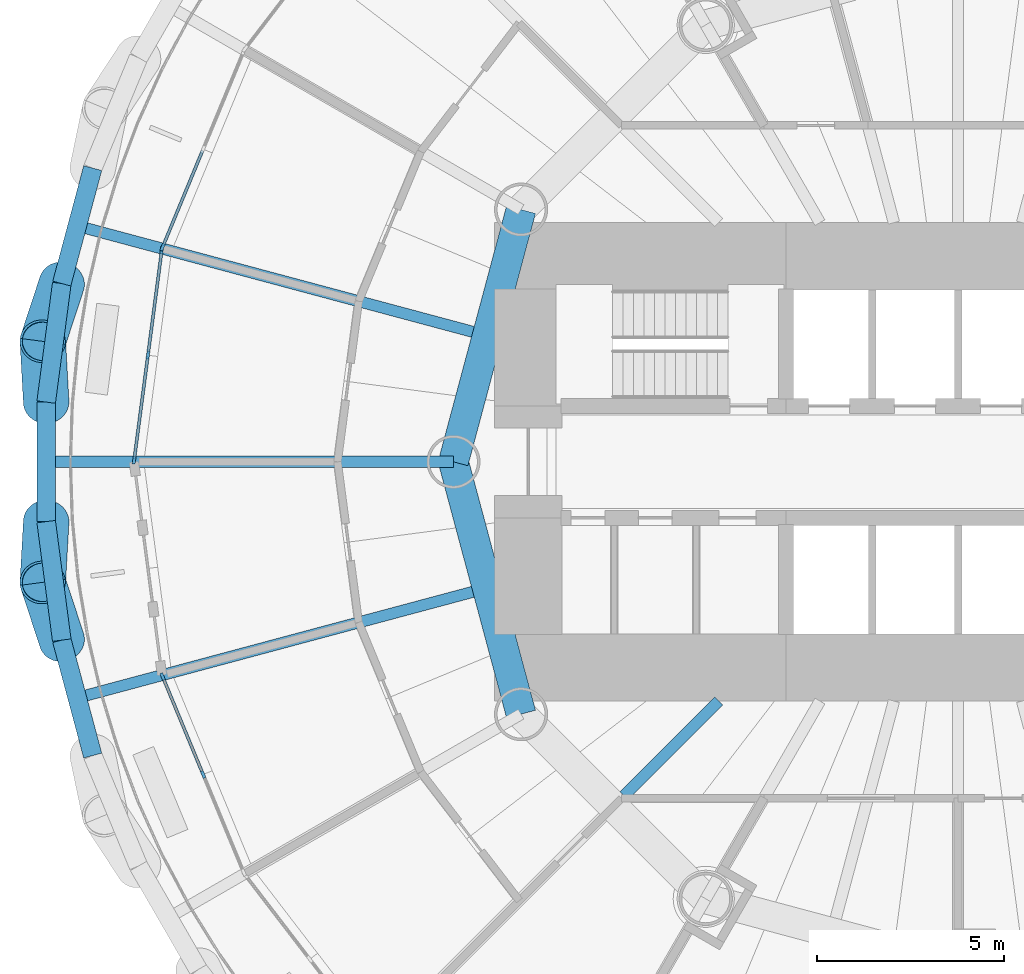
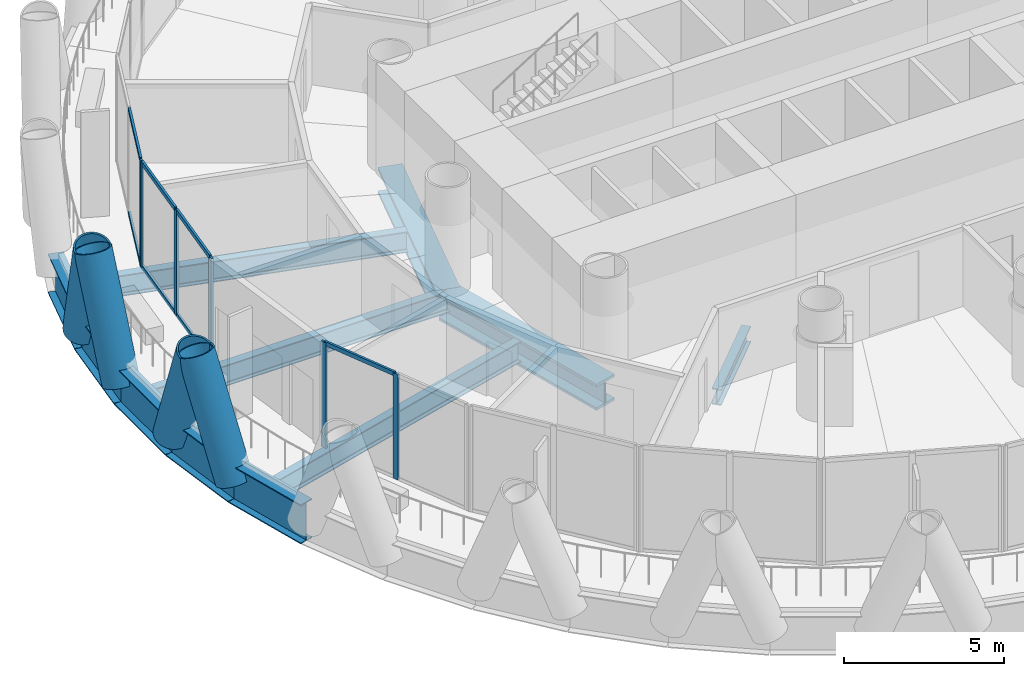
# One storey, part 3 of 16: 17 members, 11 beams, 3 elements without a shape of their own.
"""IFC4 building model written with IfcOpenShell, lengths in metres."""

from ifc_helpers import new_model, si_unit, direction, frame, origin, origin_2d, place, context, subcontext, project, spatial, rectangle, hollow_circle, i_section, extrude, material, material_profile, profile_set, type_object, element, aggregate, save


model = new_model("IFC4")

# Units and contexts
model_context = context("Model", 3, precision=1e-05, world=origin(), true_north=direction((0.0, 1.0)))
body_context = subcontext(model_context, "Body", "Model", "MODEL_VIEW")
ifc_project = project(units=[si_unit("LENGTHUNIT", "METRE"), si_unit("AREAUNIT", "SQUARE_METRE"), si_unit("VOLUMEUNIT", "CUBIC_METRE"), si_unit("PLANEANGLEUNIT", "RADIAN"), si_unit("MASSUNIT", "GRAM", prefix="KILO")], contexts=[model_context])

# Site, building, storey
site_placement = place(None, origin())
site = spatial("IfcSite", under=ifc_project, at=site_placement, CompositionType="ELEMENT")
building_placement = place(site_placement, origin())
building = spatial("IfcBuilding", under=site, at=building_placement, Name="Qaws Media Tower", CompositionType="ELEMENT")
storey_placement = place(building_placement, frame((0.0, 0.0, 47.0)))
storey = spatial("IfcBuildingStorey", under=building, at=storey_placement, Name="L09", CompositionType="ELEMENT", Elevation=47.0)

# Curtain wall, member
ifc_material_1 = material(Name="Aluminium and clear glass", Category="aluminium")
curtain_wall_type = type_object("IfcCurtainWallType", Name="Unitised curtain wall CW-A", PredefinedType="NOTDEFINED", material=ifc_material_1)
curtain_wall_1_placement = place(storey_placement, origin())
curtain_wall_1 = element("IfcCurtainWall", 1, at=curtain_wall_1_placement, inside=storey, type_object=curtain_wall_type, Name="CWA curtain wall L09-11", PredefinedType="NOTDEFINED")
ifc_material_2 = material(Name="Aluminium mullion", Category="aluminium")
ifc_material_profile_1 = material_profile(ifc_material_2, rectangle(XDim=0.080078125, YDim=0.199951171875, at=origin_2d()), Name="80x200")
ifc_profile_set_1 = profile_set([ifc_material_profile_1], Name="Aluminium mullion")
member_type_1 = type_object("IfcMemberType", Name="Curtain wall mullion 80x200", PredefinedType="MULLION", material=ifc_profile_set_1)
member_1_placement = place(storey_placement, frame((38.716552734375, 55.743896484375, 0.0), z_axis=(0.0, 0.0, 1.0), x_axis=(0.923879550525, -0.382683388877, 0.0)))
member_1 = element("IfcMember", 2, at=member_1_placement, type_object=member_type_1, Name="CWA mullion 3", PredefinedType="MULLION", context=body_context, shape_type="SweptSolid", body=[
    extrude(rectangle(XDim=0.080078125, YDim=0.199951171875, at=origin_2d()), origin(), (0.0, 0.0, 1.0), 4.0400390625),
])

# Curtain wall, members
curtain_wall_2_placement = place(storey_placement, origin())
curtain_wall_2 = element("IfcCurtainWall", 3, at=curtain_wall_2_placement, inside=storey, type_object=curtain_wall_type, Name="CWA curtain wall L09-12", PredefinedType="NOTDEFINED")
member_2_placement = place(storey_placement, frame((38.696044921875, 55.667236328125, 0.0), z_axis=(0.0, 0.0, 1.0), x_axis=(0.991444850979, -0.130526271178, 0.0)))
member_2 = element("IfcMember", 4, at=member_2_placement, type_object=member_type_1, Name="CWA mullion 1", PredefinedType="MULLION", context=body_context, shape_type="SweptSolid", body=[
    extrude(rectangle(XDim=0.080078125, YDim=0.199951171875, at=origin_2d()), origin(), (0.0, 0.0, 1.0), 4.0400390625),
])
member_3_placement = place(storey_placement, frame((38.32568359375, 52.853515625, 0.0), z_axis=(0.0, 0.0, 1.0), x_axis=(0.991444850979, -0.130526271178, 0.0)))
member_3 = element("IfcMember", 5, at=member_3_placement, type_object=member_type_1, Name="CWA mullion 2", PredefinedType="MULLION", context=body_context, shape_type="SweptSolid", body=[
    extrude(rectangle(XDim=0.080078125, YDim=0.199951171875, at=origin_2d()), origin(), (0.0, 0.0, 1.0), 4.0400390625),
])
member_4_placement = place(storey_placement, frame((37.955322265625, 50.03955078125, 0.0), z_axis=(0.0, 0.0, 1.0), x_axis=(0.991444850979, -0.130526271178, 0.0)))
member_4 = element("IfcMember", 6, at=member_4_placement, type_object=member_type_1, Name="CWA mullion 3", PredefinedType="MULLION", context=body_context, shape_type="SweptSolid", body=[
    extrude(rectangle(XDim=0.080078125, YDim=0.199951171875, at=origin_2d()), origin(), (0.0, 0.0, 1.0), 4.0400390625),
])

curtain_wall_3_placement = place(storey_placement, origin())
curtain_wall_3 = element("IfcCurtainWall", 7, at=curtain_wall_3_placement, inside=storey, type_object=curtain_wall_type, Name="CWA curtain wall L09-14", PredefinedType="NOTDEFINED")
member_5_placement = place(storey_placement, frame((38.716552734375, 44.256103515625, 0.0), z_axis=(0.0, 0.0, 1.0), x_axis=(0.923879550525, 0.382683388877, 0.0)))
member_5 = element("IfcMember", 8, at=member_5_placement, type_object=member_type_1, Name="CWA mullion 1", PredefinedType="MULLION", context=body_context, shape_type="SweptSolid", body=[
    extrude(rectangle(XDim=0.080078125, YDim=0.199951171875, at=origin_2d()), origin(), (0.0, 0.0, 1.0), 4.0400390625),
])
member_6_placement = place(storey_placement, frame((39.802734375, 41.634033203125, 0.0), z_axis=(0.0, 0.0, 1.0), x_axis=(0.923879550525, 0.382683388877, 0.0)))
member_6 = element("IfcMember", 9, at=member_6_placement, type_object=member_type_1, Name="CWA mullion 2", PredefinedType="MULLION", context=body_context, shape_type="SweptSolid", body=[
    extrude(rectangle(XDim=0.080078125, YDim=0.199951171875, at=origin_2d()), origin(), (0.0, 0.0, 1.0), 4.0400390625),
])

# Member
ifc_material_3 = material(Name="Aluminium transom", Category="aluminium")
ifc_material_profile_2 = material_profile(ifc_material_3, rectangle(XDim=0.080078125, YDim=0.159912109375, at=origin_2d()), Name="80x160")
ifc_profile_set_2 = profile_set([ifc_material_profile_2], Name="Aluminium transom")
member_type_2 = type_object("IfcMemberType", Name="Curtain wall transom 80x160", PredefinedType="USERDEFINED", material=ifc_profile_set_2)
member_7_placement = place(storey_placement, frame((39.787353515625, 58.3291015625, 0.0400390625), z_axis=(-0.382641035771, -0.923897092616, 0.0), x_axis=(0.923897092616, -0.382641035771, 0.0)))
member_7 = element("IfcMember", 10, at=member_7_placement, type_object=member_type_2, Name="CWA transom 2.1", ObjectType="TRANSOM", PredefinedType="USERDEFINED", context=body_context, shape_type="SweptSolid", body=[
    extrude(rectangle(XDim=0.080078125, YDim=0.159912109375, at=origin_2d()), origin(), (0.0, 0.0, 1.0), 2.75830078125),
])

member_8_placement = place(storey_placement, frame((39.787353515625, 58.3291015625, 4.0), z_axis=(-0.382641035771, -0.923897092616, 0.0), x_axis=(0.923897092616, -0.382641035771, 0.0)))
member_8 = element("IfcMember", 11, at=member_8_placement, type_object=member_type_2, Name="CWA transom 2.2", ObjectType="TRANSOM", PredefinedType="USERDEFINED", context=body_context, shape_type="SweptSolid", body=[
    extrude(rectangle(XDim=0.080078125, YDim=0.159912109375, at=origin_2d()), origin(), (0.0, 0.0, 1.0), 2.75830078125),
])

aggregate(curtain_wall_1, [member_1, member_7, member_8])

member_9_placement = place(storey_placement, frame((38.69091796875, 55.627685546875, 0.0400390625), z_axis=(-0.130557546748, -0.991440732967, 0.0), x_axis=(0.991440732967, -0.130557546748, 0.0)))
member_9 = element("IfcMember", 12, at=member_9_placement, type_object=member_type_2, Name="CWA transom 1.1", ObjectType="TRANSOM", PredefinedType="USERDEFINED", context=body_context, shape_type="SweptSolid", body=[
    extrude(rectangle(XDim=0.080078125, YDim=0.159912109375, at=origin_2d()), origin(), (0.0, 0.0, 1.0), 2.75830078125),
])

member_10_placement = place(storey_placement, frame((38.69091796875, 55.627685546875, 4.0), z_axis=(-0.130557546748, -0.991440732967, 0.0), x_axis=(0.991440732967, -0.130557546748, 0.0)))
member_10 = element("IfcMember", 13, at=member_10_placement, type_object=member_type_2, Name="CWA transom 1.2", ObjectType="TRANSOM", PredefinedType="USERDEFINED", context=body_context, shape_type="SweptSolid", body=[
    extrude(rectangle(XDim=0.080078125, YDim=0.159912109375, at=origin_2d()), origin(), (0.0, 0.0, 1.0), 2.75830078125),
])

member_11_placement = place(storey_placement, frame((38.320556640625, 52.813720703125, 0.0400390625), z_axis=(-0.13056900495, -0.991439224031, 0.0), x_axis=(0.991439224031, -0.13056900495, 0.0)))
member_11 = element("IfcMember", 14, at=member_11_placement, type_object=member_type_2, Name="CWA transom 2.1", ObjectType="TRANSOM", PredefinedType="USERDEFINED", context=body_context, shape_type="SweptSolid", body=[
    extrude(rectangle(XDim=0.080078125, YDim=0.159912109375, at=origin_2d()), origin(), (0.0, 0.0, 1.0), 2.758056640625),
])

member_12_placement = place(storey_placement, frame((38.320556640625, 52.813720703125, 4.0), z_axis=(-0.13056900495, -0.991439224031, 0.0), x_axis=(0.991439224031, -0.13056900495, 0.0)))
member_12 = element("IfcMember", 15, at=member_12_placement, type_object=member_type_2, Name="CWA transom 2.2", ObjectType="TRANSOM", PredefinedType="USERDEFINED", context=body_context, shape_type="SweptSolid", body=[
    extrude(rectangle(XDim=0.080078125, YDim=0.159912109375, at=origin_2d()), origin(), (0.0, 0.0, 1.0), 2.758056640625),
])

aggregate(curtain_wall_2, [member_2, member_3, member_4, member_9, member_10, member_11, member_12])

member_13_placement = place(storey_placement, frame((38.73193359375, 44.21923828125, 4.0), z_axis=(0.382641035771, -0.923897092616, 0.0), x_axis=(0.923897092616, 0.382641035771, 0.0)))
member_13 = element("IfcMember", 16, at=member_13_placement, type_object=member_type_2, Name="CWA transom 1.2", ObjectType="TRANSOM", PredefinedType="USERDEFINED", context=body_context, shape_type="SweptSolid", body=[
    extrude(rectangle(XDim=0.080078125, YDim=0.159912109375, at=origin_2d()), origin(), (0.0, 0.0, 1.0), 2.75830078125),
])

aggregate(curtain_wall_3, [member_5, member_6, member_13])

# Members
ifc_material_4 = material(Name="Steel S460", Category="steel")
ifc_material_profile_3 = material_profile(ifc_material_4, hollow_circle(Radius=0.609619140625, WallThickness=0.06005859375, at=origin_2d()), Name="CHS 1219x60")
ifc_profile_set_3 = profile_set([ifc_material_profile_3], Name="Steel S460")
member_type_3 = type_object("IfcMemberType", Name="Diagrid member CHS 1219x60", PredefinedType="USERDEFINED", material=ifc_profile_set_3)
member_14_placement = place(storey_placement, frame((36.019775390625, 54.77001953125, -0.909912109375), z_axis=(-0.112901969961, -0.343258845782, 0.932430431706), x_axis=(0.949935748696, -0.312445312574, 0.0)))
element("IfcMember", 17, at=member_14_placement, inside=storey, type_object=member_type_3, Name="DG1 diagrid L09 A12", ObjectType="DIAGRID", PredefinedType="USERDEFINED", context=body_context, shape_type="SweptSolid", body=[
    extrude(hollow_circle(Radius=0.609619140625, WallThickness=0.06005859375, at=origin_2d()), origin(), (0.0, 0.0, 1.0), 4.50439453125),
])
for number, where, z_axis, x_axis, name in (
    (18, (35.602294921875, 48.40087890625, -0.909912109375), (-0.020217726858, -0.360721105206, 0.932454571429), (0.99843299709, -0.055960256636, 0.0), "DG1 diagrid L09 A13"),
    (19, (35.602294921875, 51.59912109375, -0.909912109375), (-0.020217726858, 0.360721105206, 0.932454571429), (-0.99843299709, -0.055960256636, 0.0), "DG1 diagrid L09 B13"),
):
    element("IfcMember", number, at=place(storey_placement, frame(where, z_axis=z_axis, x_axis=x_axis)), inside=storey, type_object=member_type_3, Name=name, ObjectType="DIAGRID", PredefinedType="USERDEFINED", context=body_context, shape_type="SweptSolid", body=[
        extrude(hollow_circle(Radius=0.609619140625, WallThickness=0.06005859375, at=origin_2d()), origin(), (0.0, 0.0, 1.0), 4.504150390625),
    ])
member_15_placement = place(storey_placement, frame((36.019775390625, 45.22998046875, -0.909912109375), z_axis=(-0.112901969961, 0.343258845782, 0.932430431706), x_axis=(-0.949935748696, -0.312445312574, 0.0)))
element("IfcMember", 20, at=member_15_placement, inside=storey, type_object=member_type_3, Name="DG1 diagrid L09 B14", ObjectType="DIAGRID", PredefinedType="USERDEFINED", context=body_context, shape_type="SweptSolid", body=[
    extrude(hollow_circle(Radius=0.609619140625, WallThickness=0.06005859375, at=origin_2d()), origin(), (0.0, 0.0, 1.0), 4.50439453125),
])

# Beams
ifc_material_5 = material(Name="Steel S460", Category="steel")
ifc_material_profile_4 = material_profile(ifc_material_5, i_section(OverallWidth=0.5, OverallDepth=1.5, WebThickness=0.02001953125, FlangeThickness=0.0400390625, at=origin_2d()), Name="PG 1500x500")
ifc_profile_set_4 = profile_set([ifc_material_profile_4], Name="Steel S460")
beam_type_1 = type_object("IfcBeamType", Name="Edge ring beam PG 1500x500", PredefinedType="BEAM", material=ifc_profile_set_4)
for number, where, z_axis, x_axis, name in (
    (21, (36.84765625, 57.859130859375, -0.909912109375), (-0.258864548189, -0.965913632625, 0.0), (0.965913632625, -0.258864548189, 0.0), "RB4 edge ring beam L09-22"),
    (22, (36.019775390625, 54.77001953125, -0.909912109375), (-0.130533497709, -0.991443899561, 0.0), (0.991443899561, -0.130533497709, 0.0), "RB4 edge ring beam L09-23"),
    (23, (35.602294921875, 51.59912109375, -0.909912109375), (0.0, -1.0, 0.0), (1.0, 0.0, 0.0), "RB4 edge ring beam L09-24"),
    (24, (35.602294921875, 48.40087890625, -0.909912109375), (0.130533497709, -0.991443899561, 0.0), (0.991443899561, 0.130533497709, 0.0), "RB4 edge ring beam L09-25"),
    (25, (36.019775390625, 45.22998046875, -0.909912109375), (0.258864548189, -0.965913632625, 0.0), (0.965913632625, 0.258864548189, 0.0), "RB4 edge ring beam L09-26"),
):
    element("IfcBeam", number, at=place(storey_placement, frame(where, z_axis=z_axis, x_axis=x_axis)), inside=storey, type_object=beam_type_1, Name=name, PredefinedType="BEAM", context=body_context, shape_type="SweptSolid", body=[
        extrude(i_section(OverallWidth=0.5, OverallDepth=1.5, WebThickness=0.02001953125, FlangeThickness=0.0400390625, at=origin_2d()), origin(), (0.0, 0.0, 1.0), 3.1982421875),
    ])
ifc_material_6 = material(Name="Steel S460", Category="steel")
ifc_material_profile_5 = material_profile(ifc_material_6, i_section(OverallWidth=0.800048828125, OverallDepth=1.0, WebThickness=0.0400390625, FlangeThickness=0.10009765625, at=origin_2d()), Name="PG 1000x800")
ifc_profile_set_5 = profile_set([ifc_material_profile_5], Name="Steel S460")
beam_type_2 = type_object("IfcBeamType", Name="Inner ring girder PG 1000x800", PredefinedType="BEAM", material=ifc_profile_set_5)
for number, where, z_axis, x_axis, name in (
    (26, (48.30859375, 56.75, -0.659912109375), (-0.258810593767, -0.965928090778, 0.0), (0.965928090778, -0.258810593767, 0.0), "B3 inner ring beam L09 I06-I07"),
    (27, (46.5, 50.0, -0.659912109375), (0.258810593767, -0.965928090778, 0.0), (0.965928090778, 0.258810593767, 0.0), "B3 inner ring beam L09 I07-I08"),
):
    element("IfcBeam", number, at=place(storey_placement, frame(where, z_axis=z_axis, x_axis=x_axis)), inside=storey, type_object=beam_type_2, Name=name, PredefinedType="BEAM", context=body_context, shape_type="SweptSolid", body=[
        extrude(i_section(OverallWidth=0.800048828125, OverallDepth=1.0, WebThickness=0.0400390625, FlangeThickness=0.10009765625, at=origin_2d()), origin(), (0.0, 0.0, 1.0), 6.988037109375),
    ])
ifc_material_7 = material(Name="Steel S355", Category="steel")
ifc_material_profile_6 = material_profile(ifc_material_7, i_section(OverallWidth=0.304931640625, OverallDepth=0.6201171875, WebThickness=0.02099609375, FlangeThickness=0.0400390625, FilletRadius=0.027099609375, at=origin_2d()), Name="HE 600 M")
ifc_profile_set_6 = profile_set([ifc_material_profile_6], Name="Steel S355")
beam_type_3 = type_object("IfcBeamType", Name="Radial beam HE 600 M, core side", PredefinedType="BEAM", material=ifc_profile_set_6)
beam_1_placement = place(storey_placement, frame((53.60009765625, 43.60009765625, -0.469970703125), z_axis=(-0.707106781187, -0.707106781187, 0.0), x_axis=(0.707106781187, -0.707106781187, 0.0)))
element("IfcBeam", 28, at=beam_1_placement, inside=storey, type_object=beam_type_3, Name="B2 radial beam L09 16", PredefinedType="BEAM", context=body_context, shape_type="SweptSolid", body=[
    extrude(i_section(OverallWidth=0.304931640625, OverallDepth=0.6201171875, WebThickness=0.02099609375, FlangeThickness=0.0400390625, FilletRadius=0.027099609375, at=origin_2d()), origin(), (0.0, 0.0, 1.0), 3.589111328125),
])
ifc_material_8 = material(Name="Steel S355", Category="steel")
ifc_material_profile_7 = material_profile(ifc_material_8, i_section(OverallWidth=0.300048828125, OverallDepth=0.800048828125, WebThickness=0.017578125, FlangeThickness=0.032958984375, FilletRadius=0.030029296875, at=origin_2d()), Name="HE 800 B")
ifc_profile_set_7 = profile_set([ifc_material_profile_7], Name="Steel S355")
beam_type_4 = type_object("IfcBeamType", Name="Radial beam HE 800 B", PredefinedType="BEAM", material=ifc_profile_set_7)
beam_2_placement = place(storey_placement, frame((47.01806640625, 53.478515625, -0.56005859375), z_axis=(-0.965923984208, 0.258825919743, 0.0), x_axis=(-0.258825919743, -0.965923984208, 0.0)))
element("IfcBeam", 29, at=beam_2_placement, inside=storey, type_object=beam_type_4, Name="B1 radial beam L09 12", PredefinedType="BEAM", context=body_context, shape_type="SweptSolid", body=[
    extrude(i_section(OverallWidth=0.300048828125, OverallDepth=0.800048828125, WebThickness=0.017578125, FlangeThickness=0.032958984375, FilletRadius=0.030029296875, at=origin_2d()), origin(), (0.0, 0.0, 1.0), 10.957763671875),
])
beam_3_placement = place(storey_placement, frame((46.5, 50.0, -0.56005859375), z_axis=(-1.0, 0.0, 0.0), x_axis=(0.0, -1.0, 0.0)))
element("IfcBeam", 30, at=beam_3_placement, inside=storey, type_object=beam_type_4, Name="B1 radial beam L09 13", PredefinedType="BEAM", context=body_context, shape_type="SweptSolid", body=[
    extrude(i_section(OverallWidth=0.300048828125, OverallDepth=0.800048828125, WebThickness=0.017578125, FlangeThickness=0.032958984375, FilletRadius=0.030029296875, at=origin_2d()), origin(), (0.0, 0.0, 1.0), 10.897705078125),
])
beam_4_placement = place(storey_placement, frame((47.01806640625, 46.521484375, -0.56005859375), z_axis=(-0.965923984208, -0.258825919743, 0.0), x_axis=(0.258825919743, -0.965923984208, 0.0)))
element("IfcBeam", 31, at=beam_4_placement, inside=storey, type_object=beam_type_4, Name="B1 radial beam L09 14", PredefinedType="BEAM", context=body_context, shape_type="SweptSolid", body=[
    extrude(i_section(OverallWidth=0.300048828125, OverallDepth=0.800048828125, WebThickness=0.017578125, FlangeThickness=0.032958984375, FilletRadius=0.030029296875, at=origin_2d()), origin(), (0.0, 0.0, 1.0), 10.957763671875),
])

save(model, "model.ifc")
